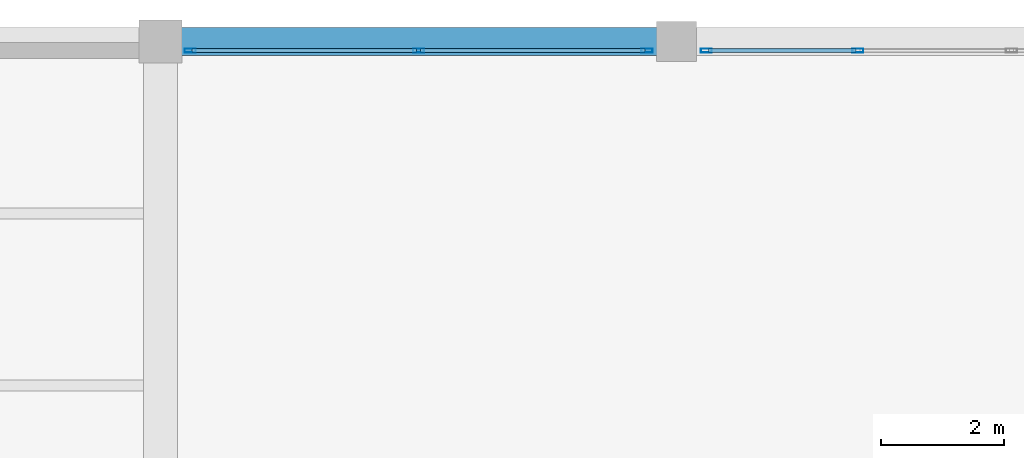
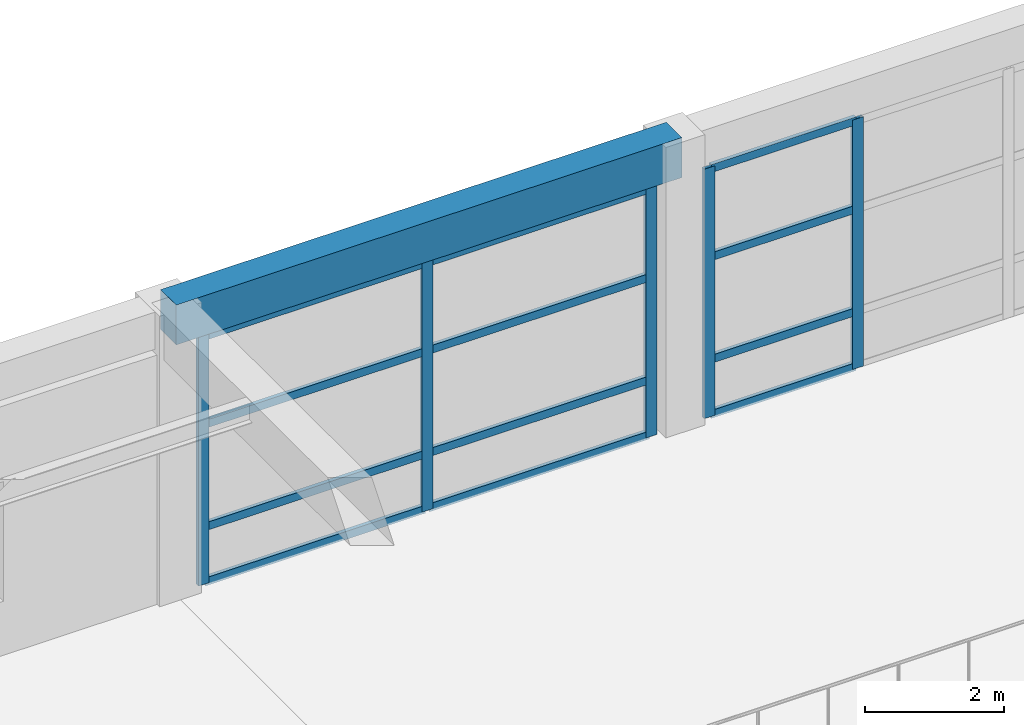
# One storey, part 44 of 95: 17 members, 1 beam, 2 elements without a shape of their own.
"""IFC4 building model written with IfcOpenShell, lengths in metres."""

import ifcopenshell
import ifcopenshell.guid

model = None  # the IFC model being written
_history = None  # IfcOwnerHistory: only IFC2X3 demands one
_inside = {}  # id of a spatial element -> (the spatial element, [elements in it])
_under = {}  # id of a project, library or spatial element -> (it, [spatial elements below it])
_declared = {}  # id of a project -> (the project, [libraries it declares])
_typed = {}  # id of a type object -> (the type object, [elements of that type])
_made_of = {}  # id of a material, layer set ... -> (it, [elements and type objects made of it])


def new_model(schema):
    """Start an empty IFC model of exactly this schema.

    Asked for "IFC4X3", IfcOpenShell would pick the latest addendum, in which some entities
    have other attributes; the version numbers below select the first issue.
    IFC2X3 requires an IfcOwnerHistory on every rooted entity: one is made here for all.
    """
    global model, _history
    if schema == "IFC4X3":
        model = ifcopenshell.file(schema_version=(4, 3, 0, 0))
    else:
        model = ifcopenshell.file(schema=schema)
    _inside.clear()
    _under.clear()
    _declared.clear()
    _typed.clear()
    _made_of.clear()
    _history = None
    if model.schema == "IFC2X3":
        org = make("IfcOrganization", Name="unknown")
        user = make(
            "IfcPersonAndOrganization",
            ThePerson=make("IfcPerson", FamilyName="unknown"),
            TheOrganization=org,
        )
        app = make(
            "IfcApplication",
            ApplicationDeveloper=org,
            Version="unknown",
            ApplicationFullName="unknown",
            ApplicationIdentifier="unknown",
        )
        _history = make(
            "IfcOwnerHistory",
            OwningUser=user,
            OwningApplication=app,
            ChangeAction="ADDED",
            CreationDate=0,
        )
    return model


def make(cls, **values):
    """One entity of the class cls with the attributes given. An attribute that is None is left unset."""
    return model.create_entity(
        cls, **{name: value for name, value in values.items() if value is not None}
    )


def rooted(cls, **values):
    """An entity with a GlobalId (a new one), such as an element, a storey or a relation."""
    return make(cls, GlobalId=ifcopenshell.guid.new(), OwnerHistory=_history, **values)


def si_unit(unit_type, name, prefix=None):
    """IfcSIUnit, for example si_unit("LENGTHUNIT", "METRE", prefix="MILLI")."""
    return make("IfcSIUnit", UnitType=unit_type, Prefix=prefix, Name=name)


def assignment(units):
    """IfcUnitAssignment: the units of a project."""
    return None if units is None else make("IfcUnitAssignment", Units=units)


def point(xyz):
    """IfcCartesianPoint."""
    return None if xyz is None else make("IfcCartesianPoint", Coordinates=xyz)


def direction(xyz):
    """IfcDirection."""
    return None if xyz is None else make("IfcDirection", DirectionRatios=xyz)


def frame(location, z_axis=None, x_axis=None):
    """IfcAxis2Placement3D, a coordinate frame: its origin and axes. An axis left out is left unset."""
    return make(
        "IfcAxis2Placement3D",
        Location=point(location),
        Axis=direction(z_axis),
        RefDirection=direction(x_axis),
    )


def frame_2d(location, x_axis=None):
    """IfcAxis2Placement2D, a coordinate frame in the plane: its origin and x axis."""
    return make(
        "IfcAxis2Placement2D", Location=point(location), RefDirection=direction(x_axis)
    )


def origin():
    """The frame at (0, 0, 0) with its axes left unset."""
    return frame((0.0, 0.0, 0.0))


def origin_2d():
    """The frame at (0, 0) in the plane with its x axis left unset."""
    return frame_2d((0.0, 0.0))


def place(relative_to, where):
    """IfcLocalPlacement: puts the frame where relative to a parent placement (None: the world)."""
    return make(
        "IfcLocalPlacement", PlacementRelTo=relative_to, RelativePlacement=where
    )


def context(
    kind, dimensions, precision=None, world=None, true_north=None, identifier=None
):
    """IfcGeometricRepresentationContext, for example the 3D "Model" context."""
    return make(
        "IfcGeometricRepresentationContext",
        ContextIdentifier=identifier,
        ContextType=kind,
        CoordinateSpaceDimension=dimensions,
        Precision=precision,
        WorldCoordinateSystem=world,
        TrueNorth=true_north,
    )


def subcontext(parent, identifier, kind, view, scale=None):
    """IfcGeometricRepresentationSubContext, for example "Body" below "Model"."""
    return make(
        "IfcGeometricRepresentationSubContext",
        ContextIdentifier=identifier,
        ContextType=kind,
        ParentContext=parent,
        TargetScale=scale,
        TargetView=view,
    )


def project(units=None, contexts=None):
    """IfcProject with its units and contexts."""
    return rooted(
        "IfcProject",
        Name="project",
        RepresentationContexts=contexts,
        UnitsInContext=assignment(units),
    )


def spatial(cls, under=None, at=None, **own):
    """A site, building, storey or space (cls), placed at a placement, below another one or the project."""
    s = rooted(cls, ObjectPlacement=at, **own)
    if under is not None:
        _under.setdefault(under.id(), (under, []))[1].append(s)
    return s


def profile(cls, at=None, kind="AREA", **sizes):
    """A parametric profile (cls). Its sizes go by their IFC names, for example OverallWidth=200.0."""
    return make(cls, ProfileType=kind, Position=at, **sizes)


def rectangle(**sizes):
    """IfcRectangleProfileDef."""
    return profile("IfcRectangleProfileDef", **sizes)


def hollow_rectangle(**sizes):
    """IfcRectangleHollowProfileDef."""
    return profile("IfcRectangleHollowProfileDef", **sizes)


def extrude(swept, where, along, depth):
    """IfcExtrudedAreaSolid: the profile swept, set in the frame where, extruded along a direction by depth."""
    return make(
        "IfcExtrudedAreaSolid",
        SweptArea=swept,
        Position=where,
        ExtrudedDirection=direction(along),
        Depth=depth,
    )


def shape(context_of_items, identifier, shape_type, items):
    """IfcShapeRepresentation: the items that make up one representation, for example the "Body"."""
    return make(
        "IfcShapeRepresentation",
        ContextOfItems=context_of_items,
        RepresentationIdentifier=identifier,
        RepresentationType=shape_type,
        Items=items,
    )


def material(Name=None, Category=None):
    """IfcMaterial."""
    return make("IfcMaterial", Name=Name, Category=Category)


def material_profile(
    of_material, cross_section, Name=None, Category=None, Priority=None
):
    """IfcMaterialProfile: a cross section and its material."""
    return make(
        "IfcMaterialProfile",
        Name=Name,
        Material=of_material,
        Profile=cross_section,
        Priority=Priority,
        Category=Category,
    )


def profile_set(profiles, Name=None, composite=None):
    """IfcMaterialProfileSet."""
    return make(
        "IfcMaterialProfileSet",
        Name=Name,
        MaterialProfiles=profiles,
        CompositeProfile=composite,
    )


def made_of(thing, what):
    """Note that an element or type object is made of a material, layer set ...; save() writes the relation."""
    if what is not None:
        _made_of.setdefault(what.id(), (what, []))[1].append(thing)
    return thing


def type_object(cls, material=None, **own):
    """A type object (cls), such as IfcWallType, which elements share."""
    return made_of(rooted(cls, **own), material)


def element(
    cls,
    number,
    at=None,
    inside=None,
    cuts=None,
    type_object=None,
    material=None,
    context=None,
    identifier="Body",
    shape_type=None,
    held_by="IfcProductDefinitionShape",
    body=None,
    shapes=None,
    **own,
):
    """One element of the class cls, such as IfcWall. Its Tag is "e" and its number.

    at: its placement. inside: the storey or other place that contains it. cuts: it is an
    opening in that element (IfcRelVoidsElement). A single representation is given by context,
    identifier, shape_type and body (its items); several are given by shapes. held_by: the class
    of the entity that holds the representations. save() writes the other relations.
    """
    e = rooted(cls, Tag="e%d" % number, ObjectPlacement=at, **own)
    if body is not None:
        shapes = [shape(context, identifier, shape_type, body)]
    if shapes is not None:
        e.Representation = make(held_by, Representations=shapes)
    if inside is not None:
        _inside.setdefault(inside.id(), (inside, []))[1].append(e)
    if cuts is not None:
        rooted(
            "IfcRelVoidsElement", RelatingBuildingElement=cuts, RelatedOpeningElement=e
        )
    if type_object is not None:
        _typed.setdefault(type_object.id(), (type_object, []))[1].append(e)
    return made_of(e, material)


def aggregate(whole, parts):
    """IfcRelAggregates: a whole, such as a stair, and the parts it consists of."""
    return rooted("IfcRelAggregates", RelatingObject=whole, RelatedObjects=parts)


def save(model, path):
    """Write the relations noted so far, then the file.

    IfcRelAggregates (storeys below a building ...), IfcRelContainedInSpatialStructure (elements
    in a storey), IfcRelDefinesByType, IfcRelAssociatesMaterial and IfcRelDeclares: one each for
    every whole, place, type object, material and project.
    """
    for whole, parts in _under.values():
        aggregate(whole, parts)
    for where, things in _inside.values():
        rooted(
            "IfcRelContainedInSpatialStructure",
            RelatedElements=things,
            RelatingStructure=where,
        )
    for kind, things in _typed.values():
        rooted("IfcRelDefinesByType", RelatedObjects=things, RelatingType=kind)
    for what, things in _made_of.values():
        rooted("IfcRelAssociatesMaterial", RelatedObjects=things, RelatingMaterial=what)
    for by, libraries in _declared.values():
        rooted("IfcRelDeclares", RelatingContext=by, RelatedDefinitions=libraries)
    model.write(path)


model = new_model("IFC4")

# Units and contexts
model_context = context("Model", 3, precision=1e-05, world=origin(), true_north=direction((0.0, 1.0)))
body_context = subcontext(model_context, "Body", "Model", "MODEL_VIEW")
ifc_project = project(units=[si_unit("LENGTHUNIT", "METRE"), si_unit("AREAUNIT", "SQUARE_METRE"), si_unit("VOLUMEUNIT", "CUBIC_METRE"), si_unit("PLANEANGLEUNIT", "RADIAN"), si_unit("MASSUNIT", "GRAM", prefix="KILO")], contexts=[model_context])

# Site, building, storey
site_placement = place(None, origin())
site = spatial("IfcSite", under=ifc_project, at=site_placement, CompositionType="ELEMENT")
building_placement = place(site_placement, origin())
building = spatial("IfcBuilding", under=site, at=building_placement, Name="Almacenes y Pasaje Nevantli", CompositionType="ELEMENT")
storey_placement = place(building_placement, frame((0.0, 0.0, 11.39990234375)))
storey = spatial("IfcBuildingStorey", under=building, at=storey_placement, Name="L03", CompositionType="ELEMENT", Elevation=11.39990234375)

# Beam
ifc_material_1 = material(Name="Concrete C35/45", Category="concrete")
ifc_material_profile_1 = material_profile(ifc_material_1, rectangle(XDim=0.449951171875, YDim=0.699951171875, at=origin_2d()), Name="RC-BM-450x700")
ifc_profile_set_1 = profile_set([ifc_material_profile_1], Name="Concrete C35/45")
beam_type = type_object("IfcBeamType", Name="BM-RC-450x700", PredefinedType="SPANDREL", material=ifc_profile_set_1)
beam_placement = place(storey_placement, frame((67.199951171875, 117.60009765625, 4.75), z_axis=(1.0, 0.0, 0.0), x_axis=(0.0, 1.0, 0.0)))
element("IfcBeam", 1, at=beam_placement, inside=storey, type_object=beam_type, Name="L03 East-West Reinforced Concrete Beam #2468", PredefinedType="SPANDREL", context=body_context, shape_type="SweptSolid", body=[
    extrude(rectangle(XDim=0.449951171875, YDim=0.699951171875, at=origin_2d()), origin(), (0.0, 0.0, 1.0), 8.400146484375),
])

# Curtain wall, members
ifc_material_2 = material(Name="Thermally Broken Aluminium and Low-E Glass", Category="aluminium")
curtain_wall_type = type_object("IfcCurtainWallType", Name="CW-STF-ARCADE", PredefinedType="USERDEFINED", material=ifc_material_2)
curtain_wall_1_placement = place(storey_placement, origin())
curtain_wall_1 = element("IfcCurtainWall", 2, at=curtain_wall_1_placement, inside=storey, type_object=curtain_wall_type, Name="L03 North Arcade Monumental Portal Curtain Wall Bay 9", ObjectType="STOREFRONT GLAZING", PredefinedType="USERDEFINED")
ifc_material_3 = material(Name="Thermally Broken Anodized Aluminium", Category="aluminium")
ifc_material_profile_2 = material_profile(ifc_material_3, hollow_rectangle(XDim=0.06494140625, YDim=0.179931640625, WallThickness=0.00390625, at=origin_2d()), Name="ALU-MUL-65x180")
ifc_profile_set_2 = profile_set([ifc_material_profile_2], Name="Thermally Broken Anodized Aluminium")
member_type_1 = type_object("IfcMemberType", Name="CW-MUL-200", PredefinedType="MULLION", material=ifc_profile_set_2)
member_1_placement = place(storey_placement, frame((67.6826171875, 117.449951171875, 0.0), z_axis=(0.0, 0.0, 1.0), x_axis=(0.0, 1.0, 0.0)))
member_1 = element("IfcMember", 3, at=member_1_placement, type_object=member_type_1, Name="CW-L03-038 mullion 1", PredefinedType="MULLION", context=body_context, shape_type="SweptSolid", body=[
    extrude(hollow_rectangle(XDim=0.06494140625, YDim=0.179931640625, WallThickness=0.00390625, at=origin_2d()), origin(), (0.0, 0.0, 1.0), 4.380126953125),
])
member_2_placement = place(storey_placement, frame((71.39990234375, 117.449951171875, 0.0), z_axis=(0.0, 0.0, 1.0), x_axis=(0.0, 1.0, 0.0)))
member_2 = element("IfcMember", 4, at=member_2_placement, type_object=member_type_1, Name="CW-L03-038 mullion 2", PredefinedType="MULLION", context=body_context, shape_type="SweptSolid", body=[
    extrude(hollow_rectangle(XDim=0.06494140625, YDim=0.179931640625, WallThickness=0.00390625, at=origin_2d()), origin(), (0.0, 0.0, 1.0), 4.380126953125),
])
member_3_placement = place(storey_placement, frame((75.117431640625, 117.449951171875, 0.0), z_axis=(0.0, 0.0, 1.0), x_axis=(0.0, 1.0, 0.0)))
member_3 = element("IfcMember", 5, at=member_3_placement, type_object=member_type_1, Name="CW-L03-038 mullion 3", PredefinedType="MULLION", context=body_context, shape_type="SweptSolid", body=[
    extrude(hollow_rectangle(XDim=0.06494140625, YDim=0.179931640625, WallThickness=0.00390625, at=origin_2d()), origin(), (0.0, 0.0, 1.0), 4.380126953125),
])

curtain_wall_2_placement = place(storey_placement, origin())
curtain_wall_2 = element("IfcCurtainWall", 6, at=curtain_wall_2_placement, inside=storey, type_object=curtain_wall_type, Name="L03 North Arcade Monumental Portal Curtain Wall Bay 10", ObjectType="STOREFRONT GLAZING", PredefinedType="USERDEFINED")
member_4_placement = place(storey_placement, frame((76.08251953125, 117.449951171875, 0.0), z_axis=(0.0, 0.0, 1.0), x_axis=(0.0, 1.0, 0.0)))
member_4 = element("IfcMember", 7, at=member_4_placement, type_object=member_type_1, Name="CW-L03-039 mullion 1", PredefinedType="MULLION", context=body_context, shape_type="SweptSolid", body=[
    extrude(hollow_rectangle(XDim=0.06494140625, YDim=0.179931640625, WallThickness=0.00390625, at=origin_2d()), origin(), (0.0, 0.0, 1.0), 4.380126953125),
])
member_5_placement = place(storey_placement, frame((78.550048828125, 117.449951171875, 0.0), z_axis=(0.0, 0.0, 1.0), x_axis=(0.0, 1.0, 0.0)))
member_5 = element("IfcMember", 8, at=member_5_placement, type_object=member_type_1, Name="CW-L03-039 mullion 2", PredefinedType="MULLION", context=body_context, shape_type="SweptSolid", body=[
    extrude(hollow_rectangle(XDim=0.06494140625, YDim=0.179931640625, WallThickness=0.00390625, at=origin_2d()), origin(), (0.0, 0.0, 1.0), 4.380126953125),
])

# Member
ifc_material_4 = material(Name="Thermally Broken Anodized Aluminium", Category="aluminium")
ifc_material_profile_3 = material_profile(ifc_material_4, hollow_rectangle(XDim=0.06494140625, YDim=0.139892578125, WallThickness=0.00390625, at=origin_2d()), Name="ALU-TRN-65x140")
ifc_profile_set_3 = profile_set([ifc_material_profile_3], Name="Thermally Broken Anodized Aluminium")
member_type_2 = type_object("IfcMemberType", Name="CW-TRN-150", PredefinedType="USERDEFINED", material=ifc_profile_set_3)
member_6_placement = place(storey_placement, frame((67.715087890625, 117.449951171875, 0.03271484375), z_axis=(1.0, 0.0, 0.0), x_axis=(0.0, 1.0, 0.0)))
member_6 = element("IfcMember", 9, at=member_6_placement, type_object=member_type_2, Name="CW-L03-038 transom 1.1", ObjectType="TRANSOM", PredefinedType="USERDEFINED", context=body_context, shape_type="SweptSolid", body=[
    extrude(hollow_rectangle(XDim=0.06494140625, YDim=0.139892578125, WallThickness=0.00390625, at=origin_2d()), origin(), (0.0, 0.0, 1.0), 3.65234375),
])

member_7_placement = place(storey_placement, frame((67.715087890625, 117.449951171875, 1.0), z_axis=(1.0, 0.0, 0.0), x_axis=(0.0, 1.0, 0.0)))
member_7 = element("IfcMember", 10, at=member_7_placement, type_object=member_type_2, Name="CW-L03-038 transom 1.2", ObjectType="TRANSOM", PredefinedType="USERDEFINED", context=body_context, shape_type="SweptSolid", body=[
    extrude(hollow_rectangle(XDim=0.06494140625, YDim=0.139892578125, WallThickness=0.00390625, at=origin_2d()), origin(), (0.0, 0.0, 1.0), 3.65234375),
])

member_8_placement = place(storey_placement, frame((67.715087890625, 117.449951171875, 2.800048828125), z_axis=(1.0, 0.0, 0.0), x_axis=(0.0, 1.0, 0.0)))
member_8 = element("IfcMember", 11, at=member_8_placement, type_object=member_type_2, Name="CW-L03-038 transom 1.3", ObjectType="TRANSOM", PredefinedType="USERDEFINED", context=body_context, shape_type="SweptSolid", body=[
    extrude(hollow_rectangle(XDim=0.06494140625, YDim=0.139892578125, WallThickness=0.00390625, at=origin_2d()), origin(), (0.0, 0.0, 1.0), 3.65234375),
])

member_9_placement = place(storey_placement, frame((67.715087890625, 117.449951171875, 4.34765625), z_axis=(1.0, 0.0, 0.0), x_axis=(0.0, 1.0, 0.0)))
member_9 = element("IfcMember", 12, at=member_9_placement, type_object=member_type_2, Name="CW-L03-038 transom 1.4", ObjectType="TRANSOM", PredefinedType="USERDEFINED", context=body_context, shape_type="SweptSolid", body=[
    extrude(hollow_rectangle(XDim=0.06494140625, YDim=0.139892578125, WallThickness=0.00390625, at=origin_2d()), origin(), (0.0, 0.0, 1.0), 3.65234375),
])

member_10_placement = place(storey_placement, frame((71.4326171875, 117.449951171875, 0.03271484375), z_axis=(1.0, 0.0, 0.0), x_axis=(0.0, 1.0, 0.0)))
member_10 = element("IfcMember", 13, at=member_10_placement, type_object=member_type_2, Name="CW-L03-038 transom 2.1", ObjectType="TRANSOM", PredefinedType="USERDEFINED", context=body_context, shape_type="SweptSolid", body=[
    extrude(hollow_rectangle(XDim=0.06494140625, YDim=0.139892578125, WallThickness=0.00390625, at=origin_2d()), origin(), (0.0, 0.0, 1.0), 3.65234375),
])

member_11_placement = place(storey_placement, frame((71.4326171875, 117.449951171875, 1.0), z_axis=(1.0, 0.0, 0.0), x_axis=(0.0, 1.0, 0.0)))
member_11 = element("IfcMember", 14, at=member_11_placement, type_object=member_type_2, Name="CW-L03-038 transom 2.2", ObjectType="TRANSOM", PredefinedType="USERDEFINED", context=body_context, shape_type="SweptSolid", body=[
    extrude(hollow_rectangle(XDim=0.06494140625, YDim=0.139892578125, WallThickness=0.00390625, at=origin_2d()), origin(), (0.0, 0.0, 1.0), 3.65234375),
])

member_12_placement = place(storey_placement, frame((71.4326171875, 117.449951171875, 2.800048828125), z_axis=(1.0, 0.0, 0.0), x_axis=(0.0, 1.0, 0.0)))
member_12 = element("IfcMember", 15, at=member_12_placement, type_object=member_type_2, Name="CW-L03-038 transom 2.3", ObjectType="TRANSOM", PredefinedType="USERDEFINED", context=body_context, shape_type="SweptSolid", body=[
    extrude(hollow_rectangle(XDim=0.06494140625, YDim=0.139892578125, WallThickness=0.00390625, at=origin_2d()), origin(), (0.0, 0.0, 1.0), 3.65234375),
])

member_13_placement = place(storey_placement, frame((71.4326171875, 117.449951171875, 4.34765625), z_axis=(1.0, 0.0, 0.0), x_axis=(0.0, 1.0, 0.0)))
member_13 = element("IfcMember", 16, at=member_13_placement, type_object=member_type_2, Name="CW-L03-038 transom 2.4", ObjectType="TRANSOM", PredefinedType="USERDEFINED", context=body_context, shape_type="SweptSolid", body=[
    extrude(hollow_rectangle(XDim=0.06494140625, YDim=0.139892578125, WallThickness=0.00390625, at=origin_2d()), origin(), (0.0, 0.0, 1.0), 3.65234375),
])

aggregate(curtain_wall_1, [member_1, member_2, member_3, member_6, member_7, member_8, member_9, member_10, member_11, member_12, member_13])

member_14_placement = place(storey_placement, frame((76.114990234375, 117.449951171875, 0.03271484375), z_axis=(1.0, 0.0, 0.0), x_axis=(0.0, 1.0, 0.0)))
member_14 = element("IfcMember", 17, at=member_14_placement, type_object=member_type_2, Name="CW-L03-039 transom 1.1", ObjectType="TRANSOM", PredefinedType="USERDEFINED", context=body_context, shape_type="SweptSolid", body=[
    extrude(hollow_rectangle(XDim=0.06494140625, YDim=0.139892578125, WallThickness=0.00390625, at=origin_2d()), origin(), (0.0, 0.0, 1.0), 2.402587890625),
])

member_15_placement = place(storey_placement, frame((76.114990234375, 117.449951171875, 1.0), z_axis=(1.0, 0.0, 0.0), x_axis=(0.0, 1.0, 0.0)))
member_15 = element("IfcMember", 18, at=member_15_placement, type_object=member_type_2, Name="CW-L03-039 transom 1.2", ObjectType="TRANSOM", PredefinedType="USERDEFINED", context=body_context, shape_type="SweptSolid", body=[
    extrude(hollow_rectangle(XDim=0.06494140625, YDim=0.139892578125, WallThickness=0.00390625, at=origin_2d()), origin(), (0.0, 0.0, 1.0), 2.402587890625),
])

member_16_placement = place(storey_placement, frame((76.114990234375, 117.449951171875, 2.800048828125), z_axis=(1.0, 0.0, 0.0), x_axis=(0.0, 1.0, 0.0)))
member_16 = element("IfcMember", 19, at=member_16_placement, type_object=member_type_2, Name="CW-L03-039 transom 1.3", ObjectType="TRANSOM", PredefinedType="USERDEFINED", context=body_context, shape_type="SweptSolid", body=[
    extrude(hollow_rectangle(XDim=0.06494140625, YDim=0.139892578125, WallThickness=0.00390625, at=origin_2d()), origin(), (0.0, 0.0, 1.0), 2.402587890625),
])

member_17_placement = place(storey_placement, frame((76.114990234375, 117.449951171875, 4.34765625), z_axis=(1.0, 0.0, 0.0), x_axis=(0.0, 1.0, 0.0)))
member_17 = element("IfcMember", 20, at=member_17_placement, type_object=member_type_2, Name="CW-L03-039 transom 1.4", ObjectType="TRANSOM", PredefinedType="USERDEFINED", context=body_context, shape_type="SweptSolid", body=[
    extrude(hollow_rectangle(XDim=0.06494140625, YDim=0.139892578125, WallThickness=0.00390625, at=origin_2d()), origin(), (0.0, 0.0, 1.0), 2.402587890625),
])

aggregate(curtain_wall_2, [member_4, member_5, member_14, member_15, member_16, member_17])

save(model, "model.ifc")
